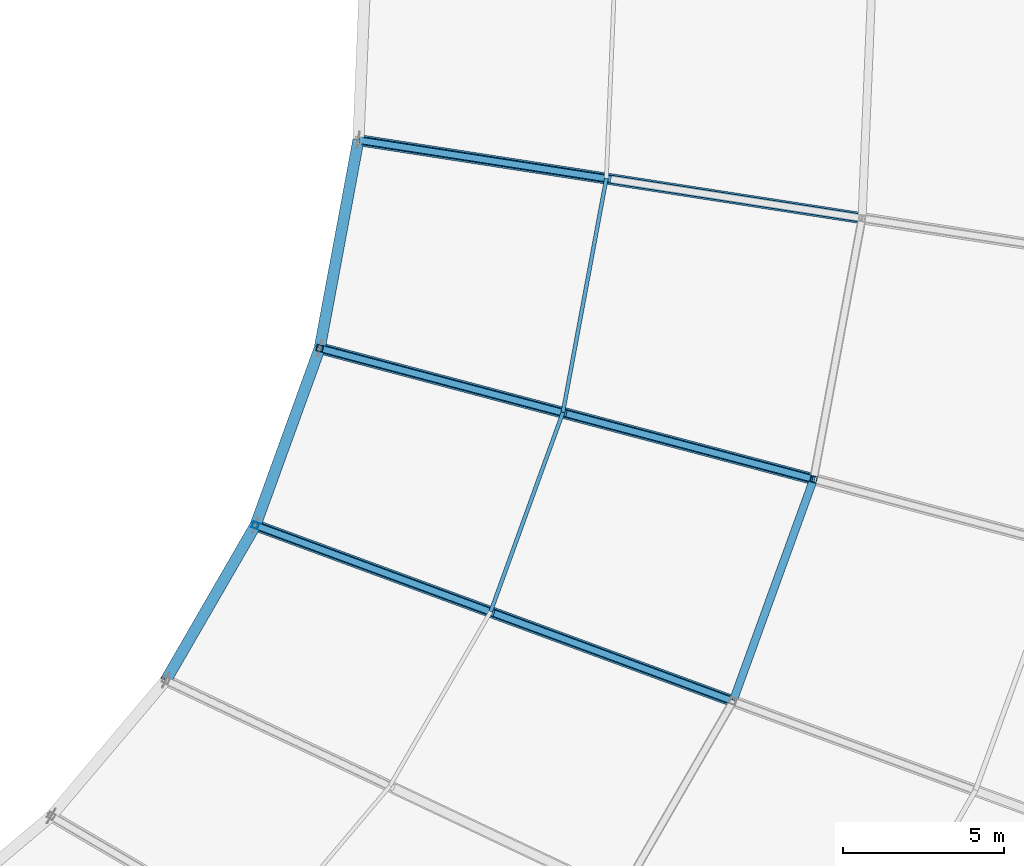
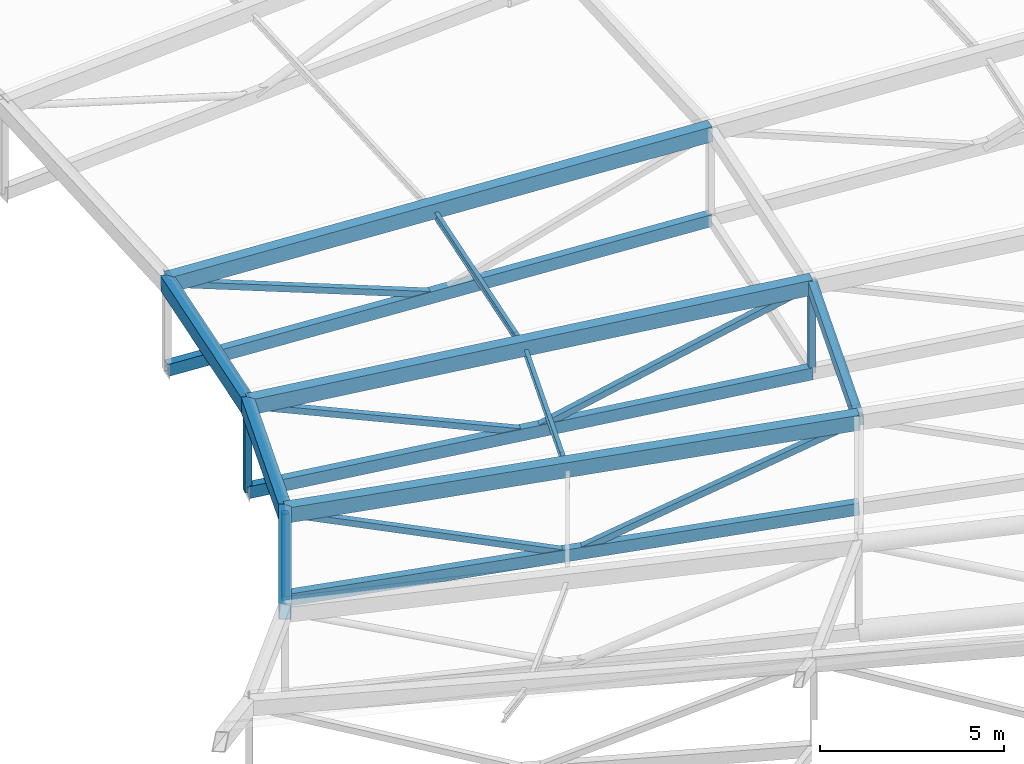
# One storey, part 67 of 143: 10 beams, 10 members.
"""IFC4 building model written with IfcOpenShell, lengths in metres."""

from ifc_helpers import new_model, si_unit, direction, frame, origin, origin_2d, place, context, subcontext, project, spatial, hollow_rectangle, i_section, extrude, material, material_profile, profile_set, type_object, element, save


model = new_model("IFC4")

# Units and contexts
model_context = context("Model", 3, precision=1e-05, world=origin(), true_north=direction((0.0, 1.0)))
body_context = subcontext(model_context, "Body", "Model", "MODEL_VIEW")
ifc_project = project(units=[si_unit("LENGTHUNIT", "METRE"), si_unit("AREAUNIT", "SQUARE_METRE"), si_unit("VOLUMEUNIT", "CUBIC_METRE"), si_unit("PLANEANGLEUNIT", "RADIAN"), si_unit("MASSUNIT", "GRAM", prefix="KILO")], contexts=[model_context])

# Site, building, storey
site_placement = place(None, origin())
site = spatial("IfcSite", under=ifc_project, at=site_placement, CompositionType="ELEMENT")
building_placement = place(site_placement, origin())
building = spatial("IfcBuilding", under=site, at=building_placement, Name="Mphavela Belvedere Stadium", CompositionType="ELEMENT")
storey_placement = place(building_placement, frame((0.0, 0.0, 28.800048828125)))
storey = spatial("IfcBuildingStorey", under=building, at=storey_placement, Name="RF", CompositionType="ELEMENT", Elevation=28.800048828125)

# Beams
ifc_material_1 = material(Name="Steel S355", Category="steel")
ifc_material_profile_1 = material_profile(ifc_material_1, hollow_rectangle(XDim=0.35009765625, YDim=0.5, WallThickness=0.02001953125, at=origin_2d()), Name="RHS 500x350x20")
ifc_profile_set_1 = profile_set([ifc_material_profile_1], Name="Steel S355")
beam_type_1 = type_object("IfcBeamType", Name="BM-RING-IN", PredefinedType="BEAM", material=ifc_profile_set_1)
beam_1_placement = place(storey_placement, frame((170.693603515625, 60.638427734375, 2.947998046875), z_axis=(0.497643755364, 0.860724360119, -0.107257953759), x_axis=(-0.865718494198, 0.500531206624, 0.0)))
element("IfcBeam", 1, at=beam_1_placement, inside=storey, type_object=beam_type_1, Name="Inner tension ring beam RB-IN-45", PredefinedType="BEAM", context=body_context, shape_type="SweptSolid", body=[
    extrude(hollow_rectangle(XDim=0.35009765625, YDim=0.5, WallThickness=0.02001953125, at=origin_2d()), origin(), (0.0, 0.0, 1.0), 5.59716796875),
])
beam_2_placement = place(storey_placement, frame((173.47900390625, 65.4560546875, 2.34765625), z_axis=(0.340014743725, 0.937149276545, -0.078365856857), x_axis=(-0.940040212853, 0.341063627817, 0.0)))
element("IfcBeam", 2, at=beam_2_placement, inside=storey, type_object=beam_type_1, Name="Inner tension ring beam RB-IN-46", PredefinedType="BEAM", context=body_context, shape_type="SweptSolid", body=[
    extrude(hollow_rectangle(XDim=0.35009765625, YDim=0.5, WallThickness=0.02001953125, at=origin_2d()), origin(), (0.0, 0.0, 1.0), 5.875732421875),
])
beam_3_placement = place(storey_placement, frame((175.476806640625, 70.96240234375, 1.88720703125), z_axis=(0.18244542016, 0.982233072501, -0.043952928765), x_axis=(-0.98318321775, 0.18262190541, 0.0)))
element("IfcBeam", 3, at=beam_3_placement, inside=storey, type_object=beam_type_1, Name="Inner tension ring beam RB-IN-47", PredefinedType="BEAM", context=body_context, shape_type="SweptSolid", body=[
    extrude(hollow_rectangle(XDim=0.35009765625, YDim=0.5, WallThickness=0.02001953125, at=origin_2d()), origin(), (0.0, 0.0, 1.0), 6.587646484375),
])
ifc_material_2 = material(Name="Steel S355", Category="steel")
ifc_material_profile_2 = material_profile(ifc_material_2, hollow_rectangle(XDim=0.25, YDim=0.39990234375, WallThickness=0.01611328125, at=origin_2d()), Name="RHS 400x250x16")
ifc_profile_set_2 = profile_set([ifc_material_profile_2], Name="Steel S355")
beam_type_2 = type_object("IfcBeamType", Name="BM-RING-MID", PredefinedType="BEAM", material=ifc_profile_set_2)
beam_4_placement = place(storey_placement, frame((188.327392578125, 59.98583984375, 3.554443359375), z_axis=(0.340000028407, 0.9371540744, -0.078372326236), x_axis=(-0.940045505056, 0.341049041085, 0.0)))
element("IfcBeam", 4, at=beam_4_placement, inside=storey, type_object=beam_type_2, Name="Intermediate roof ring beam RB-MID-46", PredefinedType="BEAM", context=body_context, shape_type="SweptSolid", body=[
    extrude(hollow_rectangle(XDim=0.25, YDim=0.39990234375, WallThickness=0.01611328125, at=origin_2d()), origin(), (0.0, 0.0, 1.0), 7.3671875),
])
ifc_material_3 = material(Name="Steel S355", Category="steel")
ifc_material_profile_3 = material_profile(ifc_material_3, hollow_rectangle(XDim=0.25, YDim=0.39990234375, WallThickness=0.01611328125, at=origin_2d()), Name="RHS 400x250x16")
ifc_profile_set_3 = profile_set([ifc_material_profile_3], Name="Steel S355")
beam_type_3 = type_object("IfcBeamType", Name="BM-TRUSS-BC2", PredefinedType="BEAM", material=ifc_profile_set_3)
beam_5_placement = place(storey_placement, frame((188.327392578125, 59.98583984375, 0.654541015625), z_axis=(-0.935851014092, 0.34477182824, -0.072905869955), x_axis=(-0.345691774153, -0.938348121585, 0.0)))
element("IfcBeam", 5, at=beam_5_placement, inside=storey, type_object=beam_type_3, Name="Radial roof truss RT-46 bottom chord 3", PredefinedType="BEAM", context=body_context, shape_type="SweptSolid", body=[
    extrude(hollow_rectangle(XDim=0.25, YDim=0.39990234375, WallThickness=0.01611328125, at=origin_2d()), origin(), (0.0, 0.0, 1.0), 15.8662109375),
])
beam_6_placement = place(storey_placement, frame((190.832275390625, 66.89013671875, 0.0771484375), z_axis=(-0.964523241908, 0.255791269318, -0.065312650841), x_axis=(-0.256338590818, -0.966587050843, 0.0)))
element("IfcBeam", 6, at=beam_6_placement, inside=storey, type_object=beam_type_3, Name="Radial roof truss RT-47 bottom chord 3", PredefinedType="BEAM", context=body_context, shape_type="SweptSolid", body=[
    extrude(hollow_rectangle(XDim=0.25, YDim=0.39990234375, WallThickness=0.01611328125, at=origin_2d()), origin(), (0.0, 0.0, 1.0), 15.920166015625),
])
beam_7_placement = place(storey_placement, frame((192.33935546875, 75.004150390625, -0.285888671875), z_axis=(-0.986353005441, 0.152982665344, -0.060860929684), x_axis=(-0.153266782809, -0.988184847732, 0.0)))
element("IfcBeam", 7, at=beam_7_placement, inside=storey, type_object=beam_type_3, Name="Radial roof truss RT-48 bottom chord 3", PredefinedType="BEAM", context=body_context, shape_type="SweptSolid", body=[
    extrude(hollow_rectangle(XDim=0.25, YDim=0.39990234375, WallThickness=0.01611328125, at=origin_2d()), origin(), (0.0, 0.0, 1.0), 15.87744140625),
])
ifc_material_4 = material(Name="Steel S355", Category="steel")
ifc_material_profile_4 = material_profile(ifc_material_4, hollow_rectangle(XDim=0.35009765625, YDim=0.5, WallThickness=0.02001953125, at=origin_2d()), Name="RHS 500x350x20")
ifc_profile_set_4 = profile_set([ifc_material_profile_4], Name="Steel S355")
beam_type_4 = type_object("IfcBeamType", Name="BM-TRUSS-TC2", PredefinedType="BEAM", material=ifc_profile_set_4)
beam_8_placement = place(storey_placement, frame((188.327392578125, 59.98583984375, 3.554443359375), z_axis=(-0.935631211578, 0.344690851981, -0.076042438692), x_axis=(-0.345691774153, -0.938348121585, 0.0)))
element("IfcBeam", 8, at=beam_8_placement, inside=storey, type_object=beam_type_4, Name="Radial roof truss RT-46 top chord 3", PredefinedType="BEAM", context=body_context, shape_type="SweptSolid", body=[
    extrude(hollow_rectangle(XDim=0.35009765625, YDim=0.5, WallThickness=0.02001953125, at=origin_2d()), origin(), (0.0, 0.0, 1.0), 15.869873046875),
])
beam_9_placement = place(storey_placement, frame((190.832275390625, 66.89013671875, 2.97705078125), z_axis=(-0.964320499394, 0.255737502065, -0.06844197897), x_axis=(-0.256338590818, -0.966587050843, 0.0)))
element("IfcBeam", 9, at=beam_9_placement, inside=storey, type_object=beam_type_4, Name="Radial roof truss RT-47 top chord 3", PredefinedType="BEAM", context=body_context, shape_type="SweptSolid", body=[
    extrude(hollow_rectangle(XDim=0.35009765625, YDim=0.5, WallThickness=0.02001953125, at=origin_2d()), origin(), (0.0, 0.0, 1.0), 15.923583984375),
])
beam_10_placement = place(storey_placement, frame((192.33935546875, 75.004150390625, 2.614013671875), z_axis=(-0.986158933324, 0.152952564893, -0.064000555599), x_axis=(-0.153266782809, -0.988184847732, 0.0)))
element("IfcBeam", 10, at=beam_10_placement, inside=storey, type_object=beam_type_4, Name="Radial roof truss RT-48 top chord 3", PredefinedType="BEAM", context=body_context, shape_type="SweptSolid", body=[
    extrude(hollow_rectangle(XDim=0.35009765625, YDim=0.5, WallThickness=0.02001953125, at=origin_2d()), origin(), (0.0, 0.0, 1.0), 15.88037109375),
])

# Members
ifc_material_5 = material(Name="Steel S355", Category="steel")
ifc_material_profile_5 = material_profile(ifc_material_5, hollow_rectangle(XDim=0.199951171875, YDim=0.199951171875, WallThickness=0.010009765625, at=origin_2d()), Name="SHS 200x200x10")
ifc_profile_set_5 = profile_set([ifc_material_profile_5], Name="Steel S355")
member_type_1 = type_object("IfcMemberType", Name="MEM-POST-SHS200", PredefinedType="POST", material=ifc_profile_set_5)
member_1_placement = place(storey_placement, frame((173.47900390625, 65.4560546875, -0.502197265625), z_axis=(0.0, 0.0, 1.0), x_axis=(0.938372433776, -0.34562577382, 0.0)))
element("IfcMember", 11, at=member_1_placement, inside=storey, type_object=member_type_1, Name="Radial roof truss RT-46 post P4", PredefinedType="POST", context=body_context, shape_type="SweptSolid", body=[
    extrude(hollow_rectangle(XDim=0.199951171875, YDim=0.199951171875, WallThickness=0.010009765625, at=origin_2d()), origin(), (0.0, 0.0, 1.0), 2.849853515625),
])
member_2_placement = place(storey_placement, frame((188.327392578125, 59.98583984375, 3.554443359375), z_axis=(-0.859000503732, 0.316464949301, -0.402452569196), x_axis=(-0.345696778918, -0.938346277792, 0.0)))
element("IfcMember", 12, at=member_2_placement, inside=storey, type_object=member_type_1, Name="Radial roof truss RT-46 web diagonal D5", PredefinedType="POST", context=body_context, shape_type="SweptSolid", body=[
    extrude(hollow_rectangle(XDim=0.199951171875, YDim=0.199951171875, WallThickness=0.010009765625, at=origin_2d()), origin(), (0.0, 0.0, 1.0), 8.642578125),
])
member_3_placement = place(storey_placement, frame((180.9033203125, 62.720947265625, 0.076171875), z_axis=(-0.901917470985, 0.332265091333, 0.275943444592), x_axis=(-0.345686769524, -0.938349965299, 0.0)))
element("IfcMember", 13, at=member_3_placement, inside=storey, type_object=member_type_1, Name="Radial roof truss RT-46 web diagonal D6", PredefinedType="POST", context=body_context, shape_type="SweptSolid", body=[
    extrude(hollow_rectangle(XDim=0.199951171875, YDim=0.199951171875, WallThickness=0.010009765625, at=origin_2d()), origin(), (0.0, 0.0, 1.0), 8.231689453125),
])
member_4_placement = place(storey_placement, frame((190.832275390625, 66.89013671875, 0.0771484375), z_axis=(0.0, 0.0, 1.0), x_axis=(0.966600102017, -0.256289373133, 0.0)))
element("IfcMember", 14, at=member_4_placement, inside=storey, type_object=member_type_1, Name="Radial roof truss RT-47 post P3", PredefinedType="POST", context=body_context, shape_type="SweptSolid", body=[
    extrude(hollow_rectangle(XDim=0.199951171875, YDim=0.199951171875, WallThickness=0.010009765625, at=origin_2d()), origin(), (0.0, 0.0, 1.0), 2.89990234375),
])
member_5_placement = place(storey_placement, frame((175.476806640625, 70.96240234375, -0.962646484375), z_axis=(0.0, 0.0, 1.0), x_axis=(0.966600102017, -0.256289373133, 0.0)))
element("IfcMember", 15, at=member_5_placement, inside=storey, type_object=member_type_1, Name="Radial roof truss RT-47 post P4", PredefinedType="POST", context=body_context, shape_type="SweptSolid", body=[
    extrude(hollow_rectangle(XDim=0.199951171875, YDim=0.199951171875, WallThickness=0.010009765625, at=origin_2d()), origin(), (0.0, 0.0, 1.0), 2.849853515625),
])
member_6_placement = place(storey_placement, frame((190.832275390625, 66.89013671875, 2.97705078125), z_axis=(-0.887796291564, 0.235443305509, -0.395454415296), x_axis=(-0.256338590818, -0.966587050843, 0.0)))
element("IfcMember", 16, at=member_6_placement, inside=storey, type_object=member_type_1, Name="Radial roof truss RT-47 web diagonal D5", PredefinedType="POST", context=body_context, shape_type="SweptSolid", body=[
    extrude(hollow_rectangle(XDim=0.199951171875, YDim=0.199951171875, WallThickness=0.010009765625, at=origin_2d()), origin(), (0.0, 0.0, 1.0), 8.648193359375),
])
member_7_placement = place(storey_placement, frame((183.154541015625, 68.92626953125, -0.44287109375), z_axis=(-0.927504083099, 0.245973799703, 0.281483686374), x_axis=(-0.256338590818, -0.966587050843, 0.0)))
element("IfcMember", 17, at=member_7_placement, inside=storey, type_object=member_type_1, Name="Radial roof truss RT-47 web diagonal D6", PredefinedType="POST", context=body_context, shape_type="SweptSolid", body=[
    extrude(hollow_rectangle(XDim=0.199951171875, YDim=0.199951171875, WallThickness=0.010009765625, at=origin_2d()), origin(), (0.0, 0.0, 1.0), 8.27783203125),
])
member_8_placement = place(storey_placement, frame((184.509033203125, 76.218505859375, -0.76904296875), z_axis=(-0.946851476158, 0.146870766498, 0.286183961895), x_axis=(-0.153281826121, -0.988182514408, 0.0)))
element("IfcMember", 18, at=member_8_placement, inside=storey, type_object=member_type_1, Name="Radial roof truss RT-48 web diagonal D6", PredefinedType="POST", context=body_context, shape_type="SweptSolid", body=[
    extrude(hollow_rectangle(XDim=0.199951171875, YDim=0.199951171875, WallThickness=0.010009765625, at=origin_2d()), origin(), (0.0, 0.0, 1.0), 8.269775390625),
])
ifc_material_6 = material(Name="Steel S355", Category="steel")
ifc_material_profile_6 = material_profile(ifc_material_6, i_section(OverallWidth=0.1201171875, OverallDepth=0.239990234375, WebThickness=0.006103515625, FlangeThickness=0.009765625, at=origin_2d()), Name="IPE 240")
ifc_profile_set_6 = profile_set([ifc_material_profile_6], Name="Steel S355")
member_type_2 = type_object("IfcMemberType", Name="MEM-PURLIN-IPE240", PredefinedType="PURLIN", material=ifc_profile_set_6)
member_9_placement = place(storey_placement, frame((180.7890625, 62.762939453125, 2.78173828125), z_axis=(0.339988857833, 0.937157771841, -0.078376573202), x_axis=(-0.940049528738, 0.341037950263, 0.0)))
element("IfcMember", 19, at=member_9_placement, inside=storey, type_object=member_type_2, Name="Saddle canopy steel purlin 46-1", PredefinedType="PURLIN", context=body_context, shape_type="SweptSolid", body=[
    extrude(i_section(OverallWidth=0.1201171875, OverallDepth=0.239990234375, WebThickness=0.006103515625, FlangeThickness=0.009765625, at=origin_2d()), origin(), (0.0, 0.0, 1.0), 6.60986328125),
])
member_10_placement = place(storey_placement, frame((183.036376953125, 68.95751953125, 2.263671875), z_axis=(0.182459485782, 0.982230898545, -0.04394312223), x_axis=(-0.983180617141, 0.182635905773, 0.0)))
element("IfcMember", 20, at=member_10_placement, inside=storey, type_object=member_type_2, Name="Saddle canopy steel purlin 47-1", PredefinedType="PURLIN", context=body_context, shape_type="SweptSolid", body=[
    extrude(i_section(OverallWidth=0.1201171875, OverallDepth=0.239990234375, WebThickness=0.006103515625, FlangeThickness=0.009765625, at=origin_2d()), origin(), (0.0, 0.0, 1.0), 7.411376953125),
])

save(model, "model.ifc")
